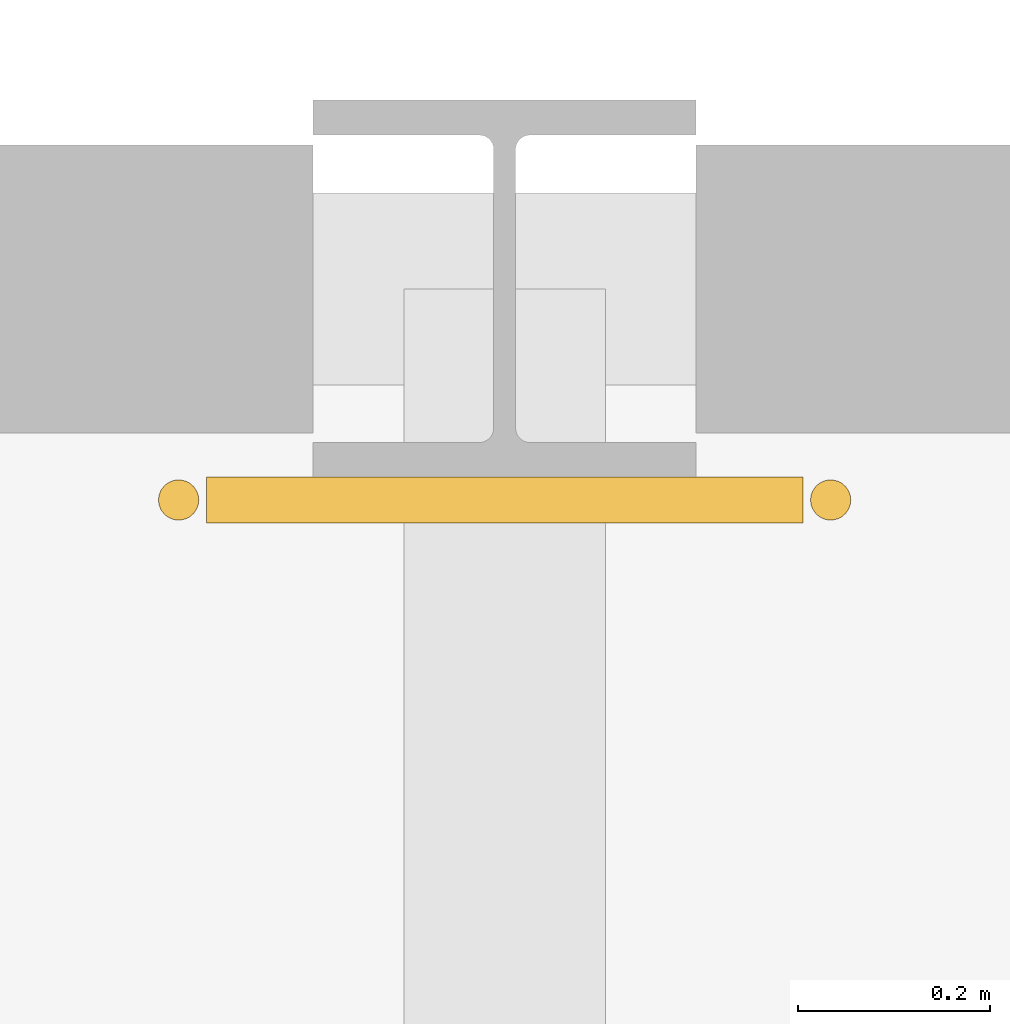
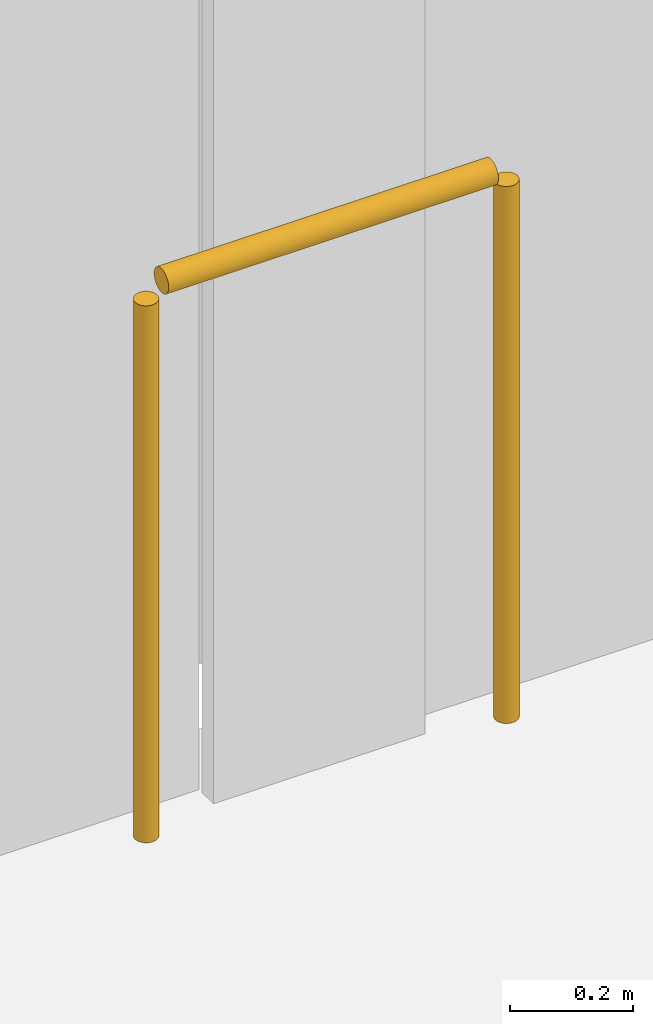
# One storey, part 42 of 51: 1 railing.
"""IFC4 building model written with IfcOpenShell, lengths in metres."""

from ifc_helpers import new_model, si_unit, direction, frame, origin, origin_2d, place, context, subcontext, project, spatial, circle, extrude, material, type_object, element, save


model = new_model("IFC4")

# Units and contexts
model_context = context("Model", 3, precision=1e-05, world=origin(), true_north=direction((0.0, 1.0)))
body_context = subcontext(model_context, "Body", "Model", "MODEL_VIEW")
ifc_project = project(units=[si_unit("LENGTHUNIT", "METRE"), si_unit("AREAUNIT", "SQUARE_METRE"), si_unit("VOLUMEUNIT", "CUBIC_METRE"), si_unit("PLANEANGLEUNIT", "RADIAN"), si_unit("MASSUNIT", "GRAM", prefix="KILO")], contexts=[model_context])

# Site, building, storey
site_placement = place(None, origin())
site = spatial("IfcSite", under=ifc_project, at=site_placement, CompositionType="ELEMENT")
building_placement = place(site_placement, origin())
building = spatial("IfcBuilding", under=site, at=building_placement, Name="Zuvorla Pavilion Media Centre", CompositionType="ELEMENT")
storey_placement = place(building_placement, frame((0.0, 0.0, 4.800048828125)))
storey = spatial("IfcBuildingStorey", under=building, at=storey_placement, Name="L01", CompositionType="ELEMENT", Elevation=4.800048828125)

# Railing
ifc_material = material(Name="Powder-coated steel balustrade guard", Category="steel")
railing_type = type_object("IfcRailingType", Name="RL-INT-GRD", PredefinedType="BALUSTRADE", material=ifc_material)
railing_placement = place(storey_placement, frame((133.660400390625, 43.780029296875, 0.0)))
element("IfcRailing", 1, at=railing_placement, inside=storey, type_object=railing_type, Name="L01 slab edge guard 36", PredefinedType="BALUSTRADE", context=body_context, shape_type="SweptSolid", body=[
    extrude(circle(Radius=0.02392578125, at=origin_2d()), frame((0.02880859375, 0.0, 1.09619140625), z_axis=(1.0, 0.0, 0.0), x_axis=(0.0, 1.0, 0.0)), (0.0, 0.0, 1.0), 0.62158203125),
    extrude(circle(Radius=0.02099609375, at=origin_2d()), origin(), (0.0, 0.0, 1.0), 1.070068359375),
    extrude(circle(Radius=0.02099609375, at=origin_2d()), frame((0.67919921875, 0.0, 0.0)), (0.0, 0.0, 1.0), 1.070068359375),
])

save(model, "model.ifc")
